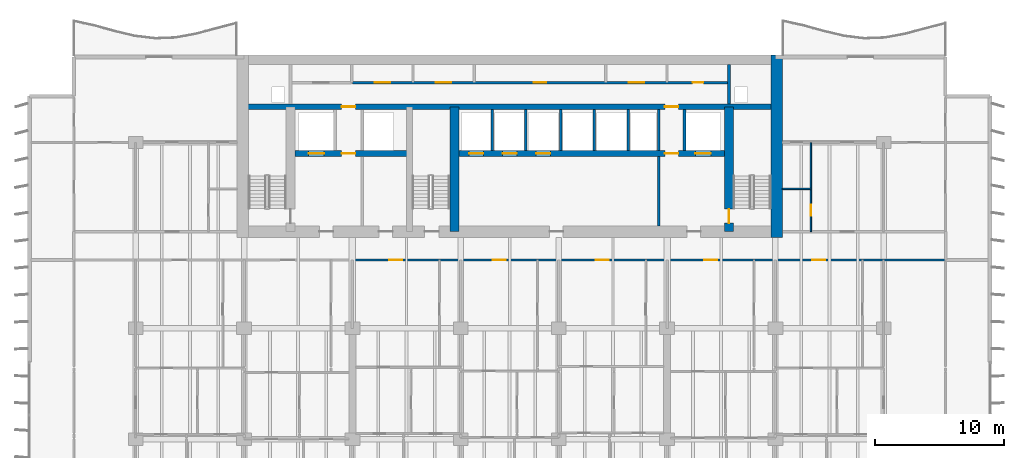
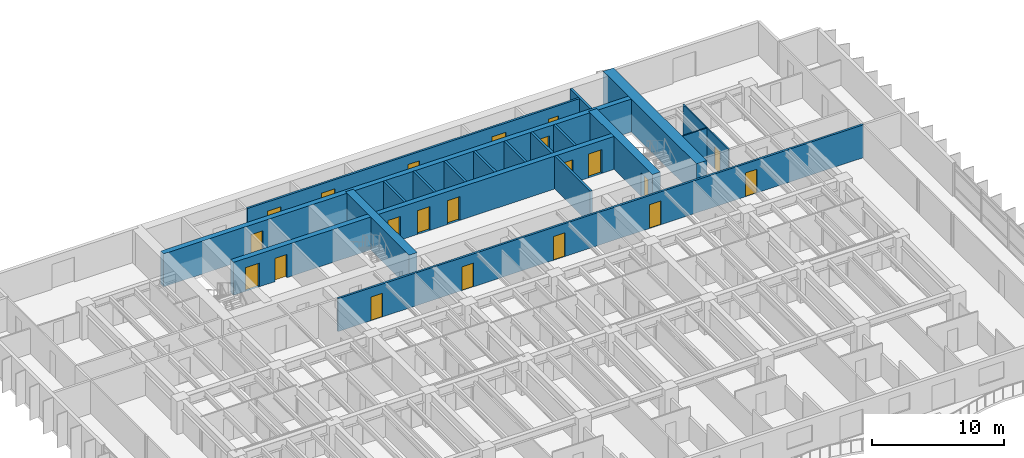
# One storey, part 12 of 19: 21 doors, 18 walls, 21 openings.
"""IFC4 building model written with IfcOpenShell, lengths in metres."""

from ifc_helpers import new_model, si_unit, direction, frame, frame_2d, origin, place, context, subcontext, project, spatial, rectangle, extrude, material, layer, layer_set, type_object, element, fill, save


model = new_model("IFC4")

# Units and contexts
model_context = context("Model", 3, precision=1e-05, world=origin(), true_north=direction((0.0, 1.0)))
body_context = subcontext(model_context, "Body", "Model", "MODEL_VIEW")
ifc_project = project(units=[si_unit("LENGTHUNIT", "METRE"), si_unit("AREAUNIT", "SQUARE_METRE"), si_unit("VOLUMEUNIT", "CUBIC_METRE"), si_unit("PLANEANGLEUNIT", "RADIAN"), si_unit("MASSUNIT", "GRAM", prefix="KILO")], contexts=[model_context])

# Site, building, storey
site_placement = place(None, origin())
site = spatial("IfcSite", under=ifc_project, at=site_placement, CompositionType="ELEMENT")
building_placement = place(site_placement, origin())
building = spatial("IfcBuilding", under=site, at=building_placement, Name="Caelmar Bay Residences", CompositionType="ELEMENT")
storey_placement = place(building_placement, frame((0.0, 0.0, 66.300048828125)))
storey = spatial("IfcBuildingStorey", under=building, at=storey_placement, Name="L17", CompositionType="ELEMENT", Elevation=66.300048828125)

# Wall, opening, door
ifc_material_1 = material(Name="Concrete f'c 55 MPa (8,000 psi)", Category="concrete")
ifc_layer_1 = layer(ifc_material_1, 0.699951171875)
ifc_layer_set_1 = layer_set([ifc_layer_1], Name="Concrete f'c 55 MPa (8,000 psi)")
wall_type_1 = type_object("IfcWallType", Name="SW-COR-700", PredefinedType="SHEAR", material=ifc_layer_set_1)
wall_1_placement = place(storey_placement, frame((55.89990234375, 36.89990234375, 0.0), z_axis=(0.0, 0.0, 1.0), x_axis=(0.0, 1.0, 0.0)))
wall_1 = element("IfcWall", 1, at=wall_1_placement, inside=storey, type_object=wall_type_1, Name="L17 Core Structural Web Wall ST2W", PredefinedType="SHEAR", context=body_context, shape_type="SweptSolid", body=[
    extrude(rectangle(XDim=9.675048828125, YDim=0.699951171875, at=frame_2d((4.83740234375, 0.0))), origin(), (0.0, 0.0, 1.0), 3.050048828125),
])
opening_1_placement = place(wall_1_placement, frame((0.64990234375, 0.0, 0.0)))
opening_1 = element("IfcOpeningElement", 2, at=opening_1_placement, cuts=wall_1, Name="Opening D-L17-111", PredefinedType="OPENING", context=body_context, shape_type="SweptSolid", body=[
    extrude(rectangle(XDim=1.10009765625, YDim=2.14990234375, at=frame_2d((0.550048828125, 1.074951171875))), frame((0.0, 0.35986328125, 0.0), z_axis=(0.0, -1.0, 0.0), x_axis=(1.0, 0.0, 0.0)), (0.0, 0.0, 1.0), 0.719970703125),
])
ifc_material_2 = material(Name="Fire-rated steel and walnut architectural door assembly", Category="steel")
ifc_layer_2 = layer(ifc_material_2, 0.050048828125)
ifc_layer_set_2 = layer_set([ifc_layer_2], Name="Fire-rated steel and walnut architectural door assembly")
door_type_1 = type_object("IfcDoorType", Name="D-STAIR-1100", OperationType="NOTDEFINED", PredefinedType="DOOR", material=ifc_layer_set_2)
door_1_placement = place(opening_1_placement, origin())
door_1 = element("IfcDoor", 3, at=door_1_placement, inside=storey, type_object=door_type_1, Name="L17 Firefighting Lobby East Door", OperationType="SINGLE_SWING_RIGHT", OverallHeight=2.14990234375, OverallWidth=1.10009765625, PredefinedType="DOOR", context=body_context, shape_type="SweptSolid", body=[
    extrude(rectangle(XDim=1.10009765625, YDim=2.14990234375, at=frame_2d((0.550048828125, 1.074951171875))), frame((0.0, 0.02490234375, 0.0), z_axis=(0.0, -1.0, 0.0), x_axis=(1.0, 0.0, 0.0)), (0.0, 0.0, 1.0), 0.050048828125),
])
fill(opening_1, door_1)

# Walls
wall_2_placement = place(storey_placement, frame((34.60009765625, 36.89990234375, 0.0), z_axis=(0.0, 0.0, 1.0), x_axis=(0.0, 1.0, 0.0)))
element("IfcWall", 4, at=wall_2_placement, inside=storey, type_object=wall_type_1, Name="L17 Core Structural Web Wall ST3E", PredefinedType="SHEAR", context=body_context, shape_type="SweptSolid", body=[
    extrude(rectangle(XDim=9.675048828125, YDim=0.699951171875, at=frame_2d((4.83740234375, 0.0))), origin(), (0.0, 0.0, 1.0), 3.050048828125),
])
ifc_material_3 = material(Name="Concrete f'c 70 MPa (10,000 psi)", Category="concrete")
ifc_layer_3 = layer(ifc_material_3, 0.89990234375)
ifc_layer_set_3 = layer_set([ifc_layer_3], Name="Concrete f'c 70 MPa (10,000 psi)")
wall_type_2 = type_object("IfcWallType", Name="SW-COR-900", PredefinedType="SHEAR", material=ifc_layer_set_3)
wall_3_placement = place(storey_placement, frame((59.60009765625, 36.449951171875, 0.0), z_axis=(0.0, 0.0, 1.0), x_axis=(0.0, 1.0, 0.0)))
element("IfcWall", 5, at=wall_3_placement, inside=storey, type_object=wall_type_2, Name="L17 Rear Core East Shear Wall", PredefinedType="SHEAR", context=body_context, shape_type="SweptSolid", body=[
    extrude(rectangle(XDim=14.150146484375, YDim=0.89990234375, at=frame_2d((7.0751953125, 0.0))), origin(), (0.0, 0.0, 1.0), 3.050048828125),
])

# Wall, openings, doors
ifc_layer_4 = layer(ifc_material_3, 0.449951171875)
ifc_layer_set_4 = layer_set([ifc_layer_4], Name="Concrete f'c 70 MPa (10,000 psi)")
wall_type_3 = type_object("IfcWallType", Name="SW-WEB-450", PredefinedType="SHEAR", material=ifc_layer_set_4)
wall_4_placement = place(storey_placement, frame((22.25, 42.949951171875, 0.0), z_axis=(0.0, 0.0, 1.0), x_axis=(1.0, 0.0, 0.0)))
wall_4 = element("IfcWall", 6, at=wall_4_placement, inside=storey, type_object=wall_type_3, Name="L17 Core Structural Web Wall LFR", PredefinedType="SHEAR", context=body_context, shape_type="SweptSolid", body=[
    extrude(rectangle(XDim=33.300048828125, YDim=0.449951171875, at=frame_2d((16.64990234375, 0.0))), origin(), (0.0, 0.0, 1.0), 3.050048828125),
])
opening_2_placement = place(wall_4_placement, frame((1.050048828125, 0.0, 0.0)))
opening_2 = element("IfcOpeningElement", 7, at=opening_2_placement, cuts=wall_4, Name="Opening LD2", PredefinedType="OPENING", context=body_context, shape_type="SweptSolid", body=[
    extrude(rectangle(XDim=1.199951171875, YDim=2.199951171875, at=frame_2d((0.60009765625, 1.10009765625))), frame((0.0, 0.23486328125, 0.0), z_axis=(0.0, -1.0, 0.0), x_axis=(1.0, 0.0, 0.0)), (0.0, 0.0, 1.0), 0.469970703125),
])
opening_3_placement = place(wall_4_placement, frame((31.050048828125, 0.0, 0.0)))
opening_3 = element("IfcOpeningElement", 8, at=opening_3_placement, cuts=wall_4, Name="Opening LD2", PredefinedType="OPENING", context=body_context, shape_type="SweptSolid", body=[
    extrude(rectangle(XDim=1.199951171875, YDim=2.199951171875, at=frame_2d((0.60009765625, 1.10009765625))), frame((0.0, 0.23486328125, 0.0), z_axis=(0.0, -1.0, 0.0), x_axis=(1.0, 0.0, 0.0)), (0.0, 0.0, 1.0), 0.469970703125),
])
opening_4_placement = place(wall_4_placement, frame((13.5, 0.0, 0.0)))
opening_4 = element("IfcOpeningElement", 9, at=opening_4_placement, cuts=wall_4, Name="Opening LD1", PredefinedType="OPENING", context=body_context, shape_type="SweptSolid", body=[
    extrude(rectangle(XDim=1.10009765625, YDim=2.199951171875, at=frame_2d((0.550048828125, 1.10009765625))), frame((0.0, 0.23486328125, 0.0), z_axis=(0.0, -1.0, 0.0), x_axis=(1.0, 0.0, 0.0)), (0.0, 0.0, 1.0), 0.469970703125),
])
opening_5_placement = place(wall_4_placement, frame((16.10009765625, 0.0, 0.0)))
opening_5 = element("IfcOpeningElement", 10, at=opening_5_placement, cuts=wall_4, Name="Opening LD1", PredefinedType="OPENING", context=body_context, shape_type="SweptSolid", body=[
    extrude(rectangle(XDim=1.10009765625, YDim=2.199951171875, at=frame_2d((0.550048828125, 1.10009765625))), frame((0.0, 0.23486328125, 0.0), z_axis=(0.0, -1.0, 0.0), x_axis=(1.0, 0.0, 0.0)), (0.0, 0.0, 1.0), 0.469970703125),
])
opening_6_placement = place(wall_4_placement, frame((18.699951171875, 0.0, 0.0)))
opening_6 = element("IfcOpeningElement", 11, at=opening_6_placement, cuts=wall_4, Name="Opening LD1", PredefinedType="OPENING", context=body_context, shape_type="SweptSolid", body=[
    extrude(rectangle(XDim=1.10009765625, YDim=2.199951171875, at=frame_2d((0.550048828125, 1.10009765625))), frame((0.0, 0.23486328125, 0.0), z_axis=(0.0, -1.0, 0.0), x_axis=(1.0, 0.0, 0.0)), (0.0, 0.0, 1.0), 0.469970703125),
])
opening_7_placement = place(wall_4_placement, frame((3.625, 0.0, 0.0)))
opening_7 = element("IfcOpeningElement", 12, at=opening_7_placement, cuts=wall_4, Name="Opening D-L17-109", PredefinedType="OPENING", context=body_context, shape_type="SweptSolid", body=[
    extrude(rectangle(XDim=1.050048828125, YDim=2.14990234375, at=frame_2d((0.52490234375, 1.074951171875))), frame((0.0, 0.23486328125, 0.0), z_axis=(0.0, -1.0, 0.0), x_axis=(1.0, 0.0, 0.0)), (0.0, 0.0, 1.0), 0.469970703125),
])
opening_8_placement = place(wall_4_placement, frame((28.675048828125, 0.0, 0.0)))
opening_8 = element("IfcOpeningElement", 13, at=opening_8_placement, cuts=wall_4, Name="Opening D-L17-112", PredefinedType="OPENING", context=body_context, shape_type="SweptSolid", body=[
    extrude(rectangle(XDim=1.050048828125, YDim=2.14990234375, at=frame_2d((0.52490234375, 1.074951171875))), frame((0.0, 0.23486328125, 0.0), z_axis=(0.0, -1.0, 0.0), x_axis=(1.0, 0.0, 0.0)), (0.0, 0.0, 1.0), 0.469970703125),
])
ifc_layer_5 = layer(ifc_material_2, 0.050048828125)
ifc_layer_set_5 = layer_set([ifc_layer_5], Name="Fire-rated steel and walnut architectural door assembly")
door_type_2 = type_object("IfcDoorType", Name="D-FSAE-1050", OperationType="NOTDEFINED", PredefinedType="DOOR", material=ifc_layer_set_5)
door_2_placement = place(opening_7_placement, origin())
door_2 = element("IfcDoor", 14, at=door_2_placement, inside=storey, type_object=door_type_2, Name="L17 Firefighting Lobby West Door", OperationType="SINGLE_SWING_RIGHT", OverallHeight=2.14990234375, OverallWidth=1.050048828125, PredefinedType="DOOR", context=body_context, shape_type="SweptSolid", body=[
    extrude(rectangle(XDim=1.050048828125, YDim=2.14990234375, at=frame_2d((0.52490234375, 1.074951171875))), frame((0.0, 0.02490234375, 0.0), z_axis=(0.0, -1.0, 0.0), x_axis=(1.0, 0.0, 0.0)), (0.0, 0.0, 1.0), 0.050048828125),
])
fill(opening_7, door_2)
door_3_placement = place(opening_8_placement, origin())
door_3 = element("IfcDoor", 15, at=door_3_placement, inside=storey, type_object=door_type_2, Name="L17 Firefighting Lobby East Door", OperationType="SINGLE_SWING_LEFT", OverallHeight=2.14990234375, OverallWidth=1.050048828125, PredefinedType="DOOR", context=body_context, shape_type="SweptSolid", body=[
    extrude(rectangle(XDim=1.050048828125, YDim=2.14990234375, at=frame_2d((0.52490234375, 1.074951171875))), frame((0.0, 0.02490234375, 0.0), z_axis=(0.0, -1.0, 0.0), x_axis=(1.0, 0.0, 0.0)), (0.0, 0.0, 1.0), 0.050048828125),
])
fill(opening_8, door_3)
ifc_material_4 = material(Name="Brushed bronze stainless-steel fire-rated lift landing doors", Category="steel")
ifc_layer_6 = layer(ifc_material_4, 0.050048828125)
ifc_layer_set_6 = layer_set([ifc_layer_6], Name="Brushed bronze stainless-steel fire-rated lift landing doors")
door_type_3 = type_object("IfcDoorType", Name="D-LND-1100", OperationType="DOUBLE_DOOR_SLIDING", PredefinedType="DOOR", material=ifc_layer_set_6)
door_4_placement = place(opening_4_placement, origin())
door_4 = element("IfcDoor", 16, at=door_4_placement, inside=storey, type_object=door_type_3, Name="L17 LP1 Sliding Landing Door", OperationType="DOUBLE_DOOR_SLIDING", OverallHeight=2.199951171875, OverallWidth=1.10009765625, PredefinedType="DOOR", context=body_context, shape_type="SweptSolid", body=[
    extrude(rectangle(XDim=1.10009765625, YDim=2.199951171875, at=frame_2d((0.550048828125, 1.10009765625))), frame((0.0, 0.02490234375, 0.0), z_axis=(0.0, -1.0, 0.0), x_axis=(1.0, 0.0, 0.0)), (0.0, 0.0, 1.0), 0.050048828125),
])
fill(opening_4, door_4)
door_5_placement = place(opening_5_placement, origin())
door_5 = element("IfcDoor", 17, at=door_5_placement, inside=storey, type_object=door_type_3, Name="L17 LP2 Sliding Landing Door", OperationType="DOUBLE_DOOR_SLIDING", OverallHeight=2.199951171875, OverallWidth=1.10009765625, PredefinedType="DOOR", context=body_context, shape_type="SweptSolid", body=[
    extrude(rectangle(XDim=1.10009765625, YDim=2.199951171875, at=frame_2d((0.550048828125, 1.10009765625))), frame((0.0, 0.02490234375, 0.0), z_axis=(0.0, -1.0, 0.0), x_axis=(1.0, 0.0, 0.0)), (0.0, 0.0, 1.0), 0.050048828125),
])
fill(opening_5, door_5)
door_6_placement = place(opening_6_placement, origin())
door_6 = element("IfcDoor", 18, at=door_6_placement, inside=storey, type_object=door_type_3, Name="L17 LP3 Sliding Landing Door", OperationType="DOUBLE_DOOR_SLIDING", OverallHeight=2.199951171875, OverallWidth=1.10009765625, PredefinedType="DOOR", context=body_context, shape_type="SweptSolid", body=[
    extrude(rectangle(XDim=1.10009765625, YDim=2.199951171875, at=frame_2d((0.550048828125, 1.10009765625))), frame((0.0, 0.02490234375, 0.0), z_axis=(0.0, -1.0, 0.0), x_axis=(1.0, 0.0, 0.0)), (0.0, 0.0, 1.0), 0.050048828125),
])
fill(opening_6, door_6)
ifc_material_5 = material(Name="Brushed stainless-steel FSAE sliding landing door", Category="steel")
ifc_layer_7 = layer(ifc_material_5, 0.050048828125)
ifc_layer_set_7 = layer_set([ifc_layer_7], Name="Brushed stainless-steel FSAE sliding landing door")
door_type_4 = type_object("IfcDoorType", Name="D-LND-1200", OperationType="DOUBLE_DOOR_SLIDING", PredefinedType="DOOR", material=ifc_layer_set_7)
door_7_placement = place(opening_2_placement, origin())
door_7 = element("IfcDoor", 19, at=door_7_placement, inside=storey, type_object=door_type_4, Name="L17 LF1 Sliding Landing Door", OperationType="DOUBLE_DOOR_SLIDING", OverallHeight=2.199951171875, OverallWidth=1.199951171875, PredefinedType="DOOR", context=body_context, shape_type="SweptSolid", body=[
    extrude(rectangle(XDim=1.199951171875, YDim=2.199951171875, at=frame_2d((0.60009765625, 1.10009765625))), frame((0.0, 0.02490234375, 0.0), z_axis=(0.0, -1.0, 0.0), x_axis=(1.0, 0.0, 0.0)), (0.0, 0.0, 1.0), 0.050048828125),
])
fill(opening_2, door_7)
door_8_placement = place(opening_3_placement, origin())
door_8 = element("IfcDoor", 20, at=door_8_placement, inside=storey, type_object=door_type_4, Name="L17 LF2 Sliding Landing Door", OperationType="DOUBLE_DOOR_SLIDING", OverallHeight=2.199951171875, OverallWidth=1.199951171875, PredefinedType="DOOR", context=body_context, shape_type="SweptSolid", body=[
    extrude(rectangle(XDim=1.199951171875, YDim=2.199951171875, at=frame_2d((0.60009765625, 1.10009765625))), frame((0.0, 0.02490234375, 0.0), z_axis=(0.0, -1.0, 0.0), x_axis=(1.0, 0.0, 0.0)), (0.0, 0.0, 1.0), 0.050048828125),
])
fill(opening_3, door_8)

wall_5_placement = place(storey_placement, frame((18.199951171875, 46.574951171875, 0.0), z_axis=(0.0, 0.0, 1.0), x_axis=(1.0, 0.0, 0.0)))
wall_5 = element("IfcWall", 21, at=wall_5_placement, inside=storey, type_object=wall_type_3, Name="L17 Core Structural Web Wall SRVS", PredefinedType="SHEAR", context=body_context, shape_type="SweptSolid", body=[
    extrude(rectangle(XDim=41.400146484375, YDim=0.449951171875, at=frame_2d((20.7001953125, 0.0))), origin(), (0.0, 0.0, 1.0), 3.050048828125),
])
opening_9_placement = place(wall_5_placement, frame((7.675048828125, 0.0, 0.0)))
opening_9 = element("IfcOpeningElement", 22, at=opening_9_placement, cuts=wall_5, Name="Opening D-L17-115", PredefinedType="OPENING", context=body_context, shape_type="SweptSolid", body=[
    extrude(rectangle(XDim=1.050048828125, YDim=2.14990234375, at=frame_2d((0.52490234375, 1.074951171875))), frame((0.0, 0.23486328125, 0.0), z_axis=(0.0, -1.0, 0.0), x_axis=(1.0, 0.0, 0.0)), (0.0, 0.0, 1.0), 0.469970703125),
])
opening_10_placement = place(wall_5_placement, frame((32.72509765625, 0.0, 0.0)))
opening_10 = element("IfcOpeningElement", 23, at=opening_10_placement, cuts=wall_5, Name="Opening D-L17-116", PredefinedType="OPENING", context=body_context, shape_type="SweptSolid", body=[
    extrude(rectangle(XDim=1.050048828125, YDim=2.14990234375, at=frame_2d((0.52490234375, 1.074951171875))), frame((0.0, 0.23486328125, 0.0), z_axis=(0.0, -1.0, 0.0), x_axis=(1.0, 0.0, 0.0)), (0.0, 0.0, 1.0), 0.469970703125),
])
door_9_placement = place(opening_9_placement, origin())
door_9 = element("IfcDoor", 24, at=door_9_placement, inside=storey, type_object=door_type_2, Name="L17 Core Service Corridor Door", OperationType="SINGLE_SWING_RIGHT", OverallHeight=2.14990234375, OverallWidth=1.050048828125, PredefinedType="DOOR", context=body_context, shape_type="SweptSolid", body=[
    extrude(rectangle(XDim=1.050048828125, YDim=2.14990234375, at=frame_2d((0.52490234375, 1.074951171875))), frame((0.0, 0.02490234375, 0.0), z_axis=(0.0, -1.0, 0.0), x_axis=(1.0, 0.0, 0.0)), (0.0, 0.0, 1.0), 0.050048828125),
])
fill(opening_9, door_9)
door_10_placement = place(opening_10_placement, origin())
door_10 = element("IfcDoor", 25, at=door_10_placement, inside=storey, type_object=door_type_2, Name="L17 Core Service Corridor Door", OperationType="SINGLE_SWING_LEFT", OverallHeight=2.14990234375, OverallWidth=1.050048828125, PredefinedType="DOOR", context=body_context, shape_type="SweptSolid", body=[
    extrude(rectangle(XDim=1.050048828125, YDim=2.14990234375, at=frame_2d((0.52490234375, 1.074951171875))), frame((0.0, 0.02490234375, 0.0), z_axis=(0.0, -1.0, 0.0), x_axis=(1.0, 0.0, 0.0)), (0.0, 0.0, 1.0), 0.050048828125),
])
fill(opening_10, door_10)

ifc_material_6 = material(Name="Double-stud acoustic fire-rated gypsum partition 180 mm")
ifc_layer_8 = layer(ifc_material_6, 0.179931640625)
ifc_layer_set_8 = layer_set([ifc_layer_8], Name="Double-stud acoustic fire-rated gypsum partition 180 mm")
wall_type_4 = type_object("IfcWallType", Name="W-COR-200", PredefinedType="PARTITIONING", material=ifc_layer_set_8)
wall_6_placement = place(storey_placement, frame((26.699951171875, 34.699951171875, 0.0), z_axis=(0.0, 0.0, 1.0), x_axis=(1.0, 0.0, 0.0)))
wall_6 = element("IfcWall", 26, at=wall_6_placement, inside=storey, type_object=wall_type_4, Name="L17 Partition Wall H144", PredefinedType="PARTITIONING", context=body_context, shape_type="SweptSolid", body=[
    extrude(rectangle(XDim=46.0, YDim=0.179931640625, at=frame_2d((23.0, 0.0))), origin(), (0.0, 0.0, 1.0), 3.050048828125),
])
opening_11_placement = place(wall_6_placement, frame((2.875, 0.0, 0.0)))
opening_11 = element("IfcOpeningElement", 27, at=opening_11_placement, cuts=wall_6, Name="Opening D-L17-138", PredefinedType="OPENING", context=body_context, shape_type="SweptSolid", body=[
    extrude(rectangle(XDim=1.0, YDim=2.199951171875, at=frame_2d((0.5, 1.10009765625))), frame((0.0, 0.099853515625, 0.0), z_axis=(0.0, -1.0, 0.0), x_axis=(1.0, 0.0, 0.0)), (0.0, 0.0, 1.0), 0.199951171875),
])
opening_12_placement = place(wall_6_placement, frame((10.875, 0.0, 0.0)))
opening_12 = element("IfcOpeningElement", 28, at=opening_12_placement, cuts=wall_6, Name="Opening D-L17-145", PredefinedType="OPENING", context=body_context, shape_type="SweptSolid", body=[
    extrude(rectangle(XDim=1.0, YDim=2.199951171875, at=frame_2d((0.5, 1.10009765625))), frame((0.0, 0.099853515625, 0.0), z_axis=(0.0, -1.0, 0.0), x_axis=(1.0, 0.0, 0.0)), (0.0, 0.0, 1.0), 0.199951171875),
])
opening_13_placement = place(wall_6_placement, frame((18.875, 0.0, 0.0)))
opening_13 = element("IfcOpeningElement", 29, at=opening_13_placement, cuts=wall_6, Name="Opening D-L17-152", PredefinedType="OPENING", context=body_context, shape_type="SweptSolid", body=[
    extrude(rectangle(XDim=1.0, YDim=2.199951171875, at=frame_2d((0.5, 1.10009765625))), frame((0.0, 0.099853515625, 0.0), z_axis=(0.0, -1.0, 0.0), x_axis=(1.0, 0.0, 0.0)), (0.0, 0.0, 1.0), 0.199951171875),
])
opening_14_placement = place(wall_6_placement, frame((27.27490234375, 0.0, 0.0)))
opening_14 = element("IfcOpeningElement", 30, at=opening_14_placement, cuts=wall_6, Name="Opening D-L17-159", PredefinedType="OPENING", context=body_context, shape_type="SweptSolid", body=[
    extrude(rectangle(XDim=1.0, YDim=2.199951171875, at=frame_2d((0.5, 1.10009765625))), frame((0.0, 0.099853515625, 0.0), z_axis=(0.0, -1.0, 0.0), x_axis=(1.0, 0.0, 0.0)), (0.0, 0.0, 1.0), 0.199951171875),
])
opening_15_placement = place(wall_6_placement, frame((35.675048828125, 0.0, 0.0)))
opening_15 = element("IfcOpeningElement", 31, at=opening_15_placement, cuts=wall_6, Name="Opening D-L17-166", PredefinedType="OPENING", context=body_context, shape_type="SweptSolid", body=[
    extrude(rectangle(XDim=1.0, YDim=2.199951171875, at=frame_2d((0.5, 1.10009765625))), frame((0.0, 0.099853515625, 0.0), z_axis=(0.0, -1.0, 0.0), x_axis=(1.0, 0.0, 0.0)), (0.0, 0.0, 1.0), 0.199951171875),
])
ifc_layer_9 = layer(ifc_material_2, 0.050048828125)
ifc_layer_set_9 = layer_set([ifc_layer_9], Name="Fire-rated steel and walnut architectural door assembly")
door_type_5 = type_object("IfcDoorType", Name="D-UNIT-1000", OperationType="NOTDEFINED", PredefinedType="DOOR", material=ifc_layer_set_9)
door_11_placement = place(opening_11_placement, origin())
door_11 = element("IfcDoor", 32, at=door_11_placement, inside=storey, type_object=door_type_5, Name="L17 Residence 03 Apartment Hall Door", OperationType="SINGLE_SWING_LEFT", OverallHeight=2.199951171875, OverallWidth=1.0, PredefinedType="DOOR", context=body_context, shape_type="SweptSolid", body=[
    extrude(rectangle(XDim=1.0, YDim=2.199951171875, at=frame_2d((0.5, 1.10009765625))), frame((0.0, 0.02490234375, 0.0), z_axis=(0.0, -1.0, 0.0), x_axis=(1.0, 0.0, 0.0)), (0.0, 0.0, 1.0), 0.050048828125),
])
fill(opening_11, door_11)
door_12_placement = place(opening_12_placement, origin())
door_12 = element("IfcDoor", 33, at=door_12_placement, inside=storey, type_object=door_type_5, Name="L17 Residence 04 Apartment Hall Door", OperationType="SINGLE_SWING_RIGHT", OverallHeight=2.199951171875, OverallWidth=1.0, PredefinedType="DOOR", context=body_context, shape_type="SweptSolid", body=[
    extrude(rectangle(XDim=1.0, YDim=2.199951171875, at=frame_2d((0.5, 1.10009765625))), frame((0.0, 0.02490234375, 0.0), z_axis=(0.0, -1.0, 0.0), x_axis=(1.0, 0.0, 0.0)), (0.0, 0.0, 1.0), 0.050048828125),
])
fill(opening_12, door_12)
door_13_placement = place(opening_13_placement, origin())
door_13 = element("IfcDoor", 34, at=door_13_placement, inside=storey, type_object=door_type_5, Name="L17 Residence 05 Apartment Hall Door", OperationType="SINGLE_SWING_LEFT", OverallHeight=2.199951171875, OverallWidth=1.0, PredefinedType="DOOR", context=body_context, shape_type="SweptSolid", body=[
    extrude(rectangle(XDim=1.0, YDim=2.199951171875, at=frame_2d((0.5, 1.10009765625))), frame((0.0, 0.02490234375, 0.0), z_axis=(0.0, -1.0, 0.0), x_axis=(1.0, 0.0, 0.0)), (0.0, 0.0, 1.0), 0.050048828125),
])
fill(opening_13, door_13)
door_14_placement = place(opening_14_placement, origin())
door_14 = element("IfcDoor", 35, at=door_14_placement, inside=storey, type_object=door_type_5, Name="L17 Residence 06 Apartment Hall Door", OperationType="SINGLE_SWING_RIGHT", OverallHeight=2.199951171875, OverallWidth=1.0, PredefinedType="DOOR", context=body_context, shape_type="SweptSolid", body=[
    extrude(rectangle(XDim=1.0, YDim=2.199951171875, at=frame_2d((0.5, 1.10009765625))), frame((0.0, 0.02490234375, 0.0), z_axis=(0.0, -1.0, 0.0), x_axis=(1.0, 0.0, 0.0)), (0.0, 0.0, 1.0), 0.050048828125),
])
fill(opening_14, door_14)
door_15_placement = place(opening_15_placement, origin())
door_15 = element("IfcDoor", 36, at=door_15_placement, inside=storey, type_object=door_type_5, Name="L17 Residence 07 Apartment Hall Door", OperationType="SINGLE_SWING_LEFT", OverallHeight=2.199951171875, OverallWidth=1.0, PredefinedType="DOOR", context=body_context, shape_type="SweptSolid", body=[
    extrude(rectangle(XDim=1.0, YDim=2.199951171875, at=frame_2d((0.5, 1.10009765625))), frame((0.0, 0.02490234375, 0.0), z_axis=(0.0, -1.0, 0.0), x_axis=(1.0, 0.0, 0.0)), (0.0, 0.0, 1.0), 0.050048828125),
])
fill(opening_15, door_15)

wall_7_placement = place(storey_placement, frame((26.699951171875, 48.449951171875, 0.0), z_axis=(0.0, 0.0, 1.0), x_axis=(1.0, 0.0, 0.0)))
wall_7 = element("IfcWall", 37, at=wall_7_placement, inside=storey, type_object=wall_type_4, Name="L17 Partition Wall H153", PredefinedType="PARTITIONING", context=body_context, shape_type="SweptSolid", body=[
    extrude(rectangle(XDim=29.199951171875, YDim=0.179931640625, at=frame_2d((14.60009765625, 0.0))), origin(), (0.0, 0.0, 1.0), 3.050048828125),
])
opening_16_placement = place(wall_7_placement, frame((1.75, 0.0, 0.0)))
opening_16 = element("IfcOpeningElement", 38, at=opening_16_placement, cuts=wall_7, Name="Opening D-L17-118", PredefinedType="OPENING", context=body_context, shape_type="SweptSolid", body=[
    extrude(rectangle(XDim=1.199951171875, YDim=2.199951171875, at=frame_2d((0.60009765625, 1.10009765625))), frame((0.0, 0.099853515625, 0.0), z_axis=(0.0, -1.0, 0.0), x_axis=(1.0, 0.0, 0.0)), (0.0, 0.0, 1.0), 0.199951171875),
])
opening_17_placement = place(wall_7_placement, frame((6.47509765625, 0.0, 0.0)))
opening_17 = element("IfcOpeningElement", 39, at=opening_17_placement, cuts=wall_7, Name="Opening D-L17-119", PredefinedType="OPENING", context=body_context, shape_type="SweptSolid", body=[
    extrude(rectangle(XDim=1.199951171875, YDim=2.199951171875, at=frame_2d((0.60009765625, 1.10009765625))), frame((0.0, 0.099853515625, 0.0), z_axis=(0.0, -1.0, 0.0), x_axis=(1.0, 0.0, 0.0)), (0.0, 0.0, 1.0), 0.199951171875),
])
opening_18_placement = place(wall_7_placement, frame((14.050048828125, 0.0, 0.0)))
opening_18 = element("IfcOpeningElement", 40, at=opening_18_placement, cuts=wall_7, Name="Opening D-L17-120", PredefinedType="OPENING", context=body_context, shape_type="SweptSolid", body=[
    extrude(rectangle(XDim=1.0, YDim=2.199951171875, at=frame_2d((0.5, 1.10009765625))), frame((0.0, 0.099853515625, 0.0), z_axis=(0.0, -1.0, 0.0), x_axis=(1.0, 0.0, 0.0)), (0.0, 0.0, 1.0), 0.199951171875),
])
opening_19_placement = place(wall_7_placement, frame((21.425048828125, 0.0, 0.0)))
opening_19 = element("IfcOpeningElement", 41, at=opening_19_placement, cuts=wall_7, Name="Opening D-L17-121", PredefinedType="OPENING", context=body_context, shape_type="SweptSolid", body=[
    extrude(rectangle(XDim=1.199951171875, YDim=2.199951171875, at=frame_2d((0.60009765625, 1.10009765625))), frame((0.0, 0.099853515625, 0.0), z_axis=(0.0, -1.0, 0.0), x_axis=(1.0, 0.0, 0.0)), (0.0, 0.0, 1.0), 0.199951171875),
])
opening_20_placement = place(wall_7_placement, frame((26.375, 0.0, 0.0)))
opening_20 = element("IfcOpeningElement", 42, at=opening_20_placement, cuts=wall_7, Name="Opening D-L17-122", PredefinedType="OPENING", context=body_context, shape_type="SweptSolid", body=[
    extrude(rectangle(XDim=0.85009765625, YDim=2.10009765625, at=frame_2d((0.425048828125, 1.050048828125))), frame((0.0, 0.099853515625, 0.0), z_axis=(0.0, -1.0, 0.0), x_axis=(1.0, 0.0, 0.0)), (0.0, 0.0, 1.0), 0.199951171875),
])
ifc_layer_10 = layer(ifc_material_2, 0.050048828125)
ifc_layer_set_10 = layer_set([ifc_layer_10], Name="Fire-rated steel and walnut architectural door assembly")
door_type_6 = type_object("IfcDoorType", Name="D-CORE-850", OperationType="NOTDEFINED", PredefinedType="DOOR", material=ifc_layer_set_10)
door_16_placement = place(opening_20_placement, origin())
door_16 = element("IfcDoor", 43, at=door_16_placement, inside=storey, type_object=door_type_6, Name="L17 Staff Restroom Door", OperationType="SINGLE_SWING_LEFT", OverallHeight=2.10009765625, OverallWidth=0.85009765625, PredefinedType="DOOR", context=body_context, shape_type="SweptSolid", body=[
    extrude(rectangle(XDim=0.85009765625, YDim=2.10009765625, at=frame_2d((0.425048828125, 1.050048828125))), frame((0.0, 0.02490234375, 0.0), z_axis=(0.0, -1.0, 0.0), x_axis=(1.0, 0.0, 0.0)), (0.0, 0.0, 1.0), 0.050048828125),
])
fill(opening_20, door_16)
ifc_layer_11 = layer(ifc_material_2, 0.050048828125)
ifc_layer_set_11 = layer_set([ifc_layer_11], Name="Fire-rated steel and walnut architectural door assembly")
door_type_7 = type_object("IfcDoorType", Name="D-PLANT-1200", OperationType="NOTDEFINED", PredefinedType="DOOR", material=ifc_layer_set_11)
door_17_placement = place(opening_16_placement, origin())
door_17 = element("IfcDoor", 44, at=door_17_placement, inside=storey, type_object=door_type_7, Name="L17 Water Meter Closet Door", OperationType="SINGLE_SWING_LEFT", OverallHeight=2.199951171875, OverallWidth=1.199951171875, PredefinedType="DOOR", context=body_context, shape_type="SweptSolid", body=[
    extrude(rectangle(XDim=1.199951171875, YDim=2.199951171875, at=frame_2d((0.60009765625, 1.10009765625))), frame((0.0, 0.02490234375, 0.0), z_axis=(0.0, -1.0, 0.0), x_axis=(1.0, 0.0, 0.0)), (0.0, 0.0, 1.0), 0.050048828125),
])
fill(opening_16, door_17)
door_18_placement = place(opening_17_placement, origin())
door_18 = element("IfcDoor", 45, at=door_18_placement, inside=storey, type_object=door_type_7, Name="L17 Low-Voltage Data Closet Door", OperationType="SINGLE_SWING_RIGHT", OverallHeight=2.199951171875, OverallWidth=1.199951171875, PredefinedType="DOOR", context=body_context, shape_type="SweptSolid", body=[
    extrude(rectangle(XDim=1.199951171875, YDim=2.199951171875, at=frame_2d((0.60009765625, 1.10009765625))), frame((0.0, 0.02490234375, 0.0), z_axis=(0.0, -1.0, 0.0), x_axis=(1.0, 0.0, 0.0)), (0.0, 0.0, 1.0), 0.050048828125),
])
fill(opening_17, door_18)
door_19_placement = place(opening_19_placement, origin())
door_19 = element("IfcDoor", 46, at=door_19_placement, inside=storey, type_object=door_type_7, Name="L17 Valet Trunk Closet Door", OperationType="SINGLE_SWING_RIGHT", OverallHeight=2.199951171875, OverallWidth=1.199951171875, PredefinedType="DOOR", context=body_context, shape_type="SweptSolid", body=[
    extrude(rectangle(XDim=1.199951171875, YDim=2.199951171875, at=frame_2d((0.60009765625, 1.10009765625))), frame((0.0, 0.02490234375, 0.0), z_axis=(0.0, -1.0, 0.0), x_axis=(1.0, 0.0, 0.0)), (0.0, 0.0, 1.0), 0.050048828125),
])
fill(opening_19, door_19)
door_20_placement = place(opening_18_placement, origin())
door_20 = element("IfcDoor", 47, at=door_20_placement, inside=storey, type_object=door_type_5, Name="L17 Mail Sorting Office Door", OperationType="SINGLE_SWING_LEFT", OverallHeight=2.199951171875, OverallWidth=1.0, PredefinedType="DOOR", context=body_context, shape_type="SweptSolid", body=[
    extrude(rectangle(XDim=1.0, YDim=2.199951171875, at=frame_2d((0.5, 1.10009765625))), frame((0.0, 0.02490234375, 0.0), z_axis=(0.0, -1.0, 0.0), x_axis=(1.0, 0.0, 0.0)), (0.0, 0.0, 1.0), 0.050048828125),
])
fill(opening_18, door_20)

# Walls
ifc_material_7 = material(Name="Fire-rated masonry and gypsum shaftliner assembly 200 mm", Category="masonry")
ifc_layer_12 = layer(ifc_material_7, 0.199951171875)
ifc_layer_set_12 = layer_set([ifc_layer_12], Name="Fire-rated masonry and gypsum shaftliner assembly 200 mm")
wall_type_5 = type_object("IfcWallType", Name="W-FSAE-200", PredefinedType="PARTITIONING", material=ifc_layer_set_12)
for number, where, z_axis, x_axis, name in (
    (48, (37.550048828125, 43.169921875, 0.0), (0.0, 0.0, 1.0), (0.0, 1.0, 0.0), "L17 Partition Wall V056"),
    (49, (40.14990234375, 43.169921875, 0.0), (0.0, 0.0, 1.0), (0.0, 1.0, 0.0), "L17 Partition Wall V061"),
    (50, (42.85009765625, 43.169921875, 0.0), (0.0, 0.0, 1.0), (0.0, 1.0, 0.0), "L17 Partition Wall V070"),
    (51, (45.449951171875, 43.169921875, 0.0), (0.0, 0.0, 1.0), (0.0, 1.0, 0.0), "L17 Partition Wall V071"),
    (52, (48.10009765625, 43.169921875, 0.0), (0.0, 0.0, 1.0), (0.0, 1.0, 0.0), "L17 Partition Wall V078"),
):
    element("IfcWall", number, at=place(storey_placement, frame(where, z_axis=z_axis, x_axis=x_axis)), inside=storey, type_object=wall_type_5, Name=name, PredefinedType="PARTITIONING", context=body_context, shape_type="SweptSolid", body=[
        extrude(rectangle(XDim=3.18505859375, YDim=0.199951171875, at=frame_2d((1.592529296875, 0.0))), origin(), (0.0, 0.0, 1.0), 3.050048828125),
    ])
wall_8_placement = place(storey_placement, frame((50.449951171875, 37.344970703125, 0.0), z_axis=(0.0, 0.0, 1.0), x_axis=(0.0, 1.0, 0.0)))
element("IfcWall", 53, at=wall_8_placement, inside=storey, type_object=wall_type_5, Name="L17 Partition Wall V080", PredefinedType="PARTITIONING", context=body_context, shape_type="SweptSolid", body=[
    extrude(rectangle(XDim=5.385009765625, YDim=0.199951171875, at=frame_2d((2.6923828125, 0.0))), origin(), (0.0, 0.0, 1.0), 3.050048828125),
])
for number, where, z_axis, x_axis, name in (
    (54, (50.449951171875, 43.169921875, 0.0), (0.0, 0.0, 1.0), (0.0, 1.0, 0.0), "L17 Partition Wall V081"),
    (55, (52.449951171875, 43.169921875, 0.0), (0.0, 0.0, 1.0), (0.0, 1.0, 0.0), "L17 Partition Wall V086"),
):
    element("IfcWall", number, at=place(storey_placement, frame(where, z_axis=z_axis, x_axis=x_axis)), inside=storey, type_object=wall_type_5, Name=name, PredefinedType="PARTITIONING", context=body_context, shape_type="SweptSolid", body=[
        extrude(rectangle(XDim=3.18505859375, YDim=0.199951171875, at=frame_2d((1.592529296875, 0.0))), origin(), (0.0, 0.0, 1.0), 3.050048828125),
    ])
wall_9_placement = place(storey_placement, frame((55.89990234375, 46.794921875, 0.0), z_axis=(0.0, 0.0, 1.0), x_axis=(0.0, 1.0, 0.0)))
element("IfcWall", 56, at=wall_9_placement, inside=storey, type_object=wall_type_5, Name="L17 Partition Wall V091", PredefinedType="PARTITIONING", context=body_context, shape_type="SweptSolid", body=[
    extrude(rectangle(XDim=3.06005859375, YDim=0.199951171875, at=frame_2d((1.530029296875, 0.0))), origin(), (0.0, 0.0, 1.0), 3.050048828125),
])

# Wall, opening, door
ifc_material_8 = material(Name="Acoustic metal-stud gypsum partition 120 mm")
ifc_layer_13 = layer(ifc_material_8, 0.1201171875)
ifc_layer_set_13 = layer_set([ifc_layer_13], Name="Acoustic metal-stud gypsum partition 120 mm")
wall_type_6 = type_object("IfcWallType", Name="W-PRT-120", PredefinedType="PARTITIONING", material=ifc_layer_set_13)
wall_10_placement = place(storey_placement, frame((62.25, 36.89990234375, 0.0), z_axis=(0.0, 0.0, 1.0), x_axis=(0.0, 1.0, 0.0)))
wall_10 = element("IfcWall", 57, at=wall_10_placement, inside=storey, type_object=wall_type_6, Name="L17 Partition Wall V100", PredefinedType="PARTITIONING", context=body_context, shape_type="SweptSolid", body=[
    extrude(rectangle(XDim=6.900146484375, YDim=0.1201171875, at=frame_2d((3.4501953125, 0.0))), origin(), (0.0, 0.0, 1.0), 3.050048828125),
])
opening_21_placement = place(wall_10_placement, frame((1.23095703125, 0.0, 0.0)))
opening_21 = element("IfcOpeningElement", 58, at=opening_21_placement, cuts=wall_10, Name="Opening D-L17-186", PredefinedType="OPENING", context=body_context, shape_type="SweptSolid", body=[
    extrude(rectangle(XDim=0.85009765625, YDim=2.10009765625, at=frame_2d((0.425048828125, 1.050048828125))), frame((0.0, 0.070068359375, 0.0), z_axis=(0.0, -1.0, 0.0), x_axis=(1.0, 0.0, 0.0)), (0.0, 0.0, 1.0), 0.14013671875),
])
ifc_material_9 = material(Name="Solid walnut timber interior door leaf and frame", Category="wood")
ifc_layer_14 = layer(ifc_material_9, 0.050048828125)
ifc_layer_set_14 = layer_set([ifc_layer_14], Name="Solid walnut timber interior door leaf and frame")
door_type_8 = type_object("IfcDoorType", Name="D-BATH-850", OperationType="NOTDEFINED", PredefinedType="DOOR", material=ifc_layer_set_14)
door_21_placement = place(opening_21_placement, origin())
door_21 = element("IfcDoor", 59, at=door_21_placement, inside=storey, type_object=door_type_8, Name="L17 Residence EA Walk-In Closet Door", OperationType="SINGLE_SWING_LEFT", OverallHeight=2.10009765625, OverallWidth=0.85009765625, PredefinedType="DOOR", context=body_context, shape_type="SweptSolid", body=[
    extrude(rectangle(XDim=0.85009765625, YDim=2.10009765625, at=frame_2d((0.425048828125, 1.050048828125))), frame((0.0, 0.02490234375, 0.0), z_axis=(0.0, -1.0, 0.0), x_axis=(1.0, 0.0, 0.0)), (0.0, 0.0, 1.0), 0.050048828125),
])
fill(opening_21, door_21)

# Wall
wall_11_placement = place(storey_placement, frame((60.044921875, 40.2119140625, 0.0), z_axis=(0.0, 0.0, 1.0), x_axis=(1.0, 0.0, 0.0)))
element("IfcWall", 60, at=wall_11_placement, inside=storey, type_object=wall_type_6, Name="L17 Partition Wall H149", PredefinedType="PARTITIONING", context=body_context, shape_type="SweptSolid", body=[
    extrude(rectangle(XDim=2.205078125, YDim=0.1201171875, at=frame_2d((1.1025390625, 0.0))), origin(), (0.0, 0.0, 1.0), 3.050048828125),
])

save(model, "model.ifc")
